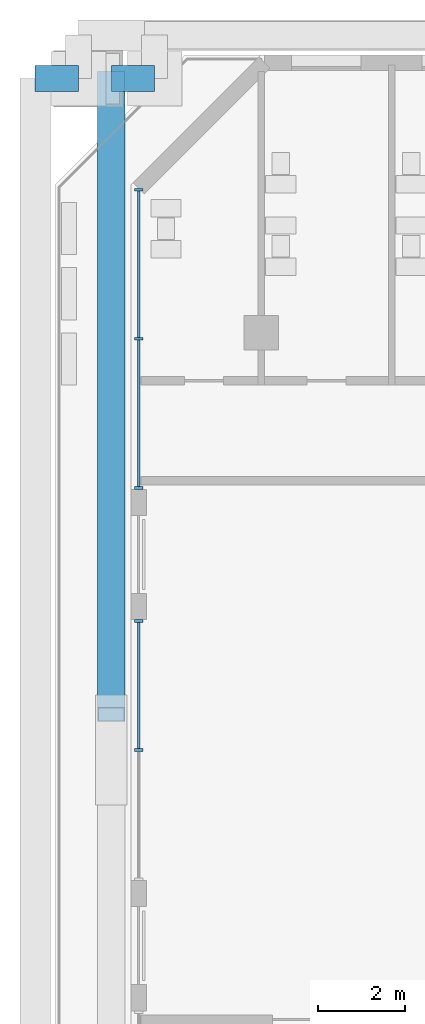
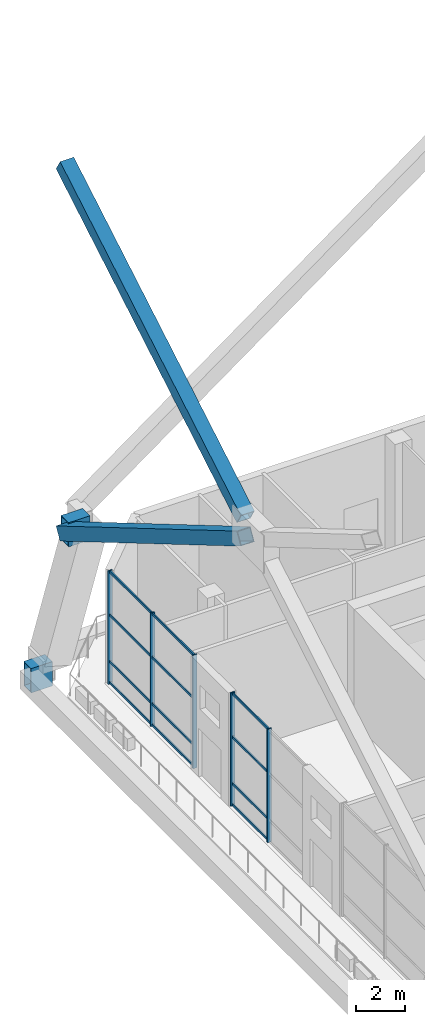
# One storey, part 4 of 20: 19 members, 2 beams, 2 elements without a shape of their own.
"""IFC4 building model written with IfcOpenShell, lengths in metres."""

from ifc_helpers import new_model, si_unit, direction, frame, origin, origin_2d, place, context, subcontext, project, spatial, rectangle, hollow_rectangle, extrude, material, material_profile, profile_set, type_object, element, aggregate, save


model = new_model("IFC4")

# Units and contexts
model_context = context("Model", 3, precision=1e-05, world=origin(), true_north=direction((0.0, 1.0)))
body_context = subcontext(model_context, "Body", "Model", "MODEL_VIEW")
ifc_project = project(units=[si_unit("LENGTHUNIT", "METRE"), si_unit("AREAUNIT", "SQUARE_METRE"), si_unit("VOLUMEUNIT", "CUBIC_METRE"), si_unit("PLANEANGLEUNIT", "RADIAN"), si_unit("MASSUNIT", "GRAM", prefix="KILO")], contexts=[model_context])

# Site, building, storey
site_placement = place(None, origin())
site = spatial("IfcSite", under=ifc_project, at=site_placement, CompositionType="ELEMENT")
building_placement = place(site_placement, origin())
building = spatial("IfcBuilding", under=site, at=building_placement, Name="Tuart Gate Housing", CompositionType="ELEMENT")
storey_placement = place(building_placement, frame((0.0, 0.0, 90.199951171875)))
storey = spatial("IfcBuildingStorey", under=building, at=storey_placement, Name="L25", CompositionType="ELEMENT", Elevation=90.199951171875)

# Beams
ifc_material_1 = material(Name="Steel Grade 350", Category="steel")
ifc_material_profile_1 = material_profile(ifc_material_1, hollow_rectangle(XDim=0.60009765625, YDim=1.199951171875, WallThickness=0.0400390625, at=origin_2d()), Name="BOX 1200x600x40")
ifc_profile_set_1 = profile_set([ifc_material_profile_1], Name="Steel Grade 350")
beam_type = type_object("IfcBeamType", Name="Brace shoe BOX 1200x600x40", PredefinedType="BEAM", material=ifc_profile_set_1)
for number, where, z_axis, x_axis, name in (
    (1, (23.800048828125, 85.449951171875, -0.39990234375), (-1.0, 0.0, 0.0), (0.0, -1.0, 0.0), "Mega tie beam A node 3 west shoe 1 L25"),
    (2, (25.550048828125, 85.449951171875, 6.199951171875), (-1.0, 0.0, 0.0), (0.0, -1.0, 0.0), "Mega brace shoe A zone 4 west cross 2"),
):
    element("IfcBeam", number, at=place(storey_placement, frame(where, z_axis=z_axis, x_axis=x_axis)), inside=storey, type_object=beam_type, Name=name, PredefinedType="BEAM", context=body_context, shape_type="SweptSolid", body=[
        extrude(hollow_rectangle(XDim=0.60009765625, YDim=1.199951171875, WallThickness=0.0400390625, at=origin_2d()), origin(), (0.0, 0.0, 1.0), 1.0),
    ])

# Members
ifc_material_2 = material(Name="Steel Grade 350", Category="steel")
ifc_material_profile_2 = material_profile(ifc_material_2, hollow_rectangle(XDim=0.639892578125, YDim=0.639892578125, WallThickness=0.031982421875, at=origin_2d()), Name="BOX 640x640x32")
ifc_profile_set_2 = profile_set([ifc_material_profile_2], Name="Steel Grade 350")
member_type_1 = type_object("IfcMemberType", Name="Mega brace BOX 640x640x32", PredefinedType="BRACE", material=ifc_profile_set_2)
for number, where, z_axis, x_axis, name in (
    (3, (24.550048828125, 70.818603515625, 15.7822265625), (0.0, 0.861644676374, 0.507512021214), (-1.0, 0.0, 0.0), "Mega brace A zone 4 west cross 1 b"),
    (4, (24.550048828125, 85.449951171875, 6.199951171875), (0.0, -0.861644676374, 0.507512021214), (1.0, 0.0, 0.0), "Mega brace A zone 4 west cross 2 a"),
):
    element("IfcMember", number, at=place(storey_placement, frame(where, z_axis=z_axis, x_axis=x_axis)), inside=storey, type_object=member_type_1, Name=name, PredefinedType="BRACE", context=body_context, shape_type="SweptSolid", body=[
        extrude(hollow_rectangle(XDim=0.639892578125, YDim=0.639892578125, WallThickness=0.031982421875, at=origin_2d()), origin(), (0.0, 0.0, 1.0), 16.980712890625),
    ])

# Curtain wall, members
ifc_material_3 = material(Name="Aluminium and clear glass", Category="aluminium")
curtain_wall_type = type_object("IfcCurtainWallType", Name="Sky garden front glazing", PredefinedType="USERDEFINED", material=ifc_material_3)
curtain_wall_1_placement = place(storey_placement, origin())
curtain_wall_1 = element("IfcCurtainWall", 5, at=curtain_wall_1_placement, inside=storey, type_object=curtain_wall_type, Name="Sky garden front glazing A-W L25", ObjectType="SKY GARDEN FRONT GLAZING", PredefinedType="USERDEFINED")
ifc_material_4 = material(Name="Anodised aluminium", Category="aluminium")
ifc_material_profile_3 = material_profile(ifc_material_4, rectangle(XDim=0.06005859375, YDim=0.199951171875, at=origin_2d()), Name="60x200")
ifc_profile_set_3 = profile_set([ifc_material_profile_3], Name="Anodised aluminium")
member_type_2 = type_object("IfcMemberType", Name="Mullion 60 x 200", PredefinedType="MULLION", material=ifc_profile_set_3)
member_1_placement = place(storey_placement, frame((25.179931640625, 82.8955078125, 0.0), z_axis=(0.0, 0.0, 1.0), x_axis=(0.0, -1.0, 0.0)))
member_1 = element("IfcMember", 6, at=member_1_placement, type_object=member_type_2, Name="CW4 mullion 1", PredefinedType="MULLION", context=body_context, shape_type="SweptSolid", body=[
    extrude(rectangle(XDim=0.06005859375, YDim=0.199951171875, at=origin_2d()), origin(), (0.0, 0.0, 1.0), 5.60009765625),
])
member_2_placement = place(storey_placement, frame((25.179931640625, 79.462646484375, 0.0), z_axis=(0.0, 0.0, 1.0), x_axis=(0.0, -1.0, 0.0)))
member_2 = element("IfcMember", 7, at=member_2_placement, type_object=member_type_2, Name="CW4 mullion 2", PredefinedType="MULLION", context=body_context, shape_type="SweptSolid", body=[
    extrude(rectangle(XDim=0.06005859375, YDim=0.199951171875, at=origin_2d()), origin(), (0.0, 0.0, 1.0), 5.60009765625),
])
member_3_placement = place(storey_placement, frame((25.179931640625, 76.030029296875, 0.0), z_axis=(0.0, 0.0, 1.0), x_axis=(0.0, -1.0, 0.0)))
member_3 = element("IfcMember", 8, at=member_3_placement, type_object=member_type_2, Name="CW4 mullion 3", PredefinedType="MULLION", context=body_context, shape_type="SweptSolid", body=[
    extrude(rectangle(XDim=0.06005859375, YDim=0.199951171875, at=origin_2d()), origin(), (0.0, 0.0, 1.0), 5.60009765625),
])

curtain_wall_2_placement = place(storey_placement, origin())
curtain_wall_2 = element("IfcCurtainWall", 9, at=curtain_wall_2_placement, inside=storey, type_object=curtain_wall_type, Name="Sky garden front glazing A-W L25", ObjectType="SKY GARDEN FRONT GLAZING", PredefinedType="USERDEFINED")
member_4_placement = place(storey_placement, frame((25.179931640625, 72.969970703125, 0.0), z_axis=(0.0, 0.0, 1.0), x_axis=(0.0, -1.0, 0.0)))
member_4 = element("IfcMember", 10, at=member_4_placement, type_object=member_type_2, Name="CW4 mullion 1", PredefinedType="MULLION", context=body_context, shape_type="SweptSolid", body=[
    extrude(rectangle(XDim=0.06005859375, YDim=0.199951171875, at=origin_2d()), origin(), (0.0, 0.0, 1.0), 5.60009765625),
])
member_5_placement = place(storey_placement, frame((25.179931640625, 70.0, 0.0), z_axis=(0.0, 0.0, 1.0), x_axis=(0.0, -1.0, 0.0)))
member_5 = element("IfcMember", 11, at=member_5_placement, type_object=member_type_2, Name="CW4 mullion 2", PredefinedType="MULLION", context=body_context, shape_type="SweptSolid", body=[
    extrude(rectangle(XDim=0.06005859375, YDim=0.199951171875, at=origin_2d()), origin(), (0.0, 0.0, 1.0), 5.60009765625),
])

# Member
ifc_material_5 = material(Name="Anodised aluminium", Category="aluminium")
ifc_material_profile_4 = material_profile(ifc_material_5, rectangle(XDim=0.06005859375, YDim=0.1201171875, at=origin_2d()), Name="60x120")
ifc_profile_set_4 = profile_set([ifc_material_profile_4], Name="Anodised aluminium")
member_type_3 = type_object("IfcMemberType", Name="Transom 60 x 120", PredefinedType="USERDEFINED", material=ifc_profile_set_4)
member_6_placement = place(storey_placement, frame((25.179931640625, 82.865478515625, 0.06005859375), z_axis=(0.0, -1.0, 0.0), x_axis=(1.0, 0.0, 0.0)))
member_6 = element("IfcMember", 12, at=member_6_placement, type_object=member_type_3, Name="CW4 transom 1.1", ObjectType="TRANSOM", PredefinedType="USERDEFINED", context=body_context, shape_type="SweptSolid", body=[
    extrude(rectangle(XDim=0.06005859375, YDim=0.1201171875, at=origin_2d()), origin(), (0.0, 0.0, 1.0), 3.372802734375),
])

member_7_placement = place(storey_placement, frame((25.179931640625, 82.865478515625, 1.10009765625), z_axis=(0.0, -1.0, 0.0), x_axis=(1.0, 0.0, 0.0)))
member_7 = element("IfcMember", 13, at=member_7_placement, type_object=member_type_3, Name="CW4 transom 1.2", ObjectType="TRANSOM", PredefinedType="USERDEFINED", context=body_context, shape_type="SweptSolid", body=[
    extrude(rectangle(XDim=0.06005859375, YDim=0.1201171875, at=origin_2d()), origin(), (0.0, 0.0, 1.0), 3.372802734375),
])

member_8_placement = place(storey_placement, frame((25.179931640625, 82.865478515625, 3.400146484375), z_axis=(0.0, -1.0, 0.0), x_axis=(1.0, 0.0, 0.0)))
member_8 = element("IfcMember", 14, at=member_8_placement, type_object=member_type_3, Name="CW4 transom 1.3", ObjectType="TRANSOM", PredefinedType="USERDEFINED", context=body_context, shape_type="SweptSolid", body=[
    extrude(rectangle(XDim=0.06005859375, YDim=0.1201171875, at=origin_2d()), origin(), (0.0, 0.0, 1.0), 3.372802734375),
])

member_9_placement = place(storey_placement, frame((25.179931640625, 82.865478515625, 5.5400390625), z_axis=(0.0, -1.0, 0.0), x_axis=(1.0, 0.0, 0.0)))
member_9 = element("IfcMember", 15, at=member_9_placement, type_object=member_type_3, Name="CW4 transom 1.4", ObjectType="TRANSOM", PredefinedType="USERDEFINED", context=body_context, shape_type="SweptSolid", body=[
    extrude(rectangle(XDim=0.06005859375, YDim=0.1201171875, at=origin_2d()), origin(), (0.0, 0.0, 1.0), 3.372802734375),
])

member_10_placement = place(storey_placement, frame((25.179931640625, 79.4326171875, 0.06005859375), z_axis=(0.0, -1.0, 0.0), x_axis=(1.0, 0.0, 0.0)))
member_10 = element("IfcMember", 16, at=member_10_placement, type_object=member_type_3, Name="CW4 transom 2.1", ObjectType="TRANSOM", PredefinedType="USERDEFINED", context=body_context, shape_type="SweptSolid", body=[
    extrude(rectangle(XDim=0.06005859375, YDim=0.1201171875, at=origin_2d()), origin(), (0.0, 0.0, 1.0), 3.37255859375),
])

member_11_placement = place(storey_placement, frame((25.179931640625, 79.4326171875, 1.10009765625), z_axis=(0.0, -1.0, 0.0), x_axis=(1.0, 0.0, 0.0)))
member_11 = element("IfcMember", 17, at=member_11_placement, type_object=member_type_3, Name="CW4 transom 2.2", ObjectType="TRANSOM", PredefinedType="USERDEFINED", context=body_context, shape_type="SweptSolid", body=[
    extrude(rectangle(XDim=0.06005859375, YDim=0.1201171875, at=origin_2d()), origin(), (0.0, 0.0, 1.0), 3.37255859375),
])

member_12_placement = place(storey_placement, frame((25.179931640625, 79.4326171875, 3.400146484375), z_axis=(0.0, -1.0, 0.0), x_axis=(1.0, 0.0, 0.0)))
member_12 = element("IfcMember", 18, at=member_12_placement, type_object=member_type_3, Name="CW4 transom 2.3", ObjectType="TRANSOM", PredefinedType="USERDEFINED", context=body_context, shape_type="SweptSolid", body=[
    extrude(rectangle(XDim=0.06005859375, YDim=0.1201171875, at=origin_2d()), origin(), (0.0, 0.0, 1.0), 3.37255859375),
])

member_13_placement = place(storey_placement, frame((25.179931640625, 79.4326171875, 5.5400390625), z_axis=(0.0, -1.0, 0.0), x_axis=(1.0, 0.0, 0.0)))
member_13 = element("IfcMember", 19, at=member_13_placement, type_object=member_type_3, Name="CW4 transom 2.4", ObjectType="TRANSOM", PredefinedType="USERDEFINED", context=body_context, shape_type="SweptSolid", body=[
    extrude(rectangle(XDim=0.06005859375, YDim=0.1201171875, at=origin_2d()), origin(), (0.0, 0.0, 1.0), 3.37255859375),
])

aggregate(curtain_wall_1, [member_1, member_2, member_3, member_6, member_7, member_8, member_9, member_10, member_11, member_12, member_13])

member_14_placement = place(storey_placement, frame((25.179931640625, 72.93994140625, 0.06005859375), z_axis=(0.0, -1.0, 0.0), x_axis=(1.0, 0.0, 0.0)))
member_14 = element("IfcMember", 20, at=member_14_placement, type_object=member_type_3, Name="CW4 transom 1.1", ObjectType="TRANSOM", PredefinedType="USERDEFINED", context=body_context, shape_type="SweptSolid", body=[
    extrude(rectangle(XDim=0.06005859375, YDim=0.1201171875, at=origin_2d()), origin(), (0.0, 0.0, 1.0), 2.909912109375),
])

member_15_placement = place(storey_placement, frame((25.179931640625, 72.93994140625, 1.10009765625), z_axis=(0.0, -1.0, 0.0), x_axis=(1.0, 0.0, 0.0)))
member_15 = element("IfcMember", 21, at=member_15_placement, type_object=member_type_3, Name="CW4 transom 1.2", ObjectType="TRANSOM", PredefinedType="USERDEFINED", context=body_context, shape_type="SweptSolid", body=[
    extrude(rectangle(XDim=0.06005859375, YDim=0.1201171875, at=origin_2d()), origin(), (0.0, 0.0, 1.0), 2.909912109375),
])

member_16_placement = place(storey_placement, frame((25.179931640625, 72.93994140625, 3.400146484375), z_axis=(0.0, -1.0, 0.0), x_axis=(1.0, 0.0, 0.0)))
member_16 = element("IfcMember", 22, at=member_16_placement, type_object=member_type_3, Name="CW4 transom 1.3", ObjectType="TRANSOM", PredefinedType="USERDEFINED", context=body_context, shape_type="SweptSolid", body=[
    extrude(rectangle(XDim=0.06005859375, YDim=0.1201171875, at=origin_2d()), origin(), (0.0, 0.0, 1.0), 2.909912109375),
])

member_17_placement = place(storey_placement, frame((25.179931640625, 72.93994140625, 5.5400390625), z_axis=(0.0, -1.0, 0.0), x_axis=(1.0, 0.0, 0.0)))
member_17 = element("IfcMember", 23, at=member_17_placement, type_object=member_type_3, Name="CW4 transom 1.4", ObjectType="TRANSOM", PredefinedType="USERDEFINED", context=body_context, shape_type="SweptSolid", body=[
    extrude(rectangle(XDim=0.06005859375, YDim=0.1201171875, at=origin_2d()), origin(), (0.0, 0.0, 1.0), 2.909912109375),
])

aggregate(curtain_wall_2, [member_4, member_5, member_14, member_15, member_16, member_17])

save(model, "model.ifc")
